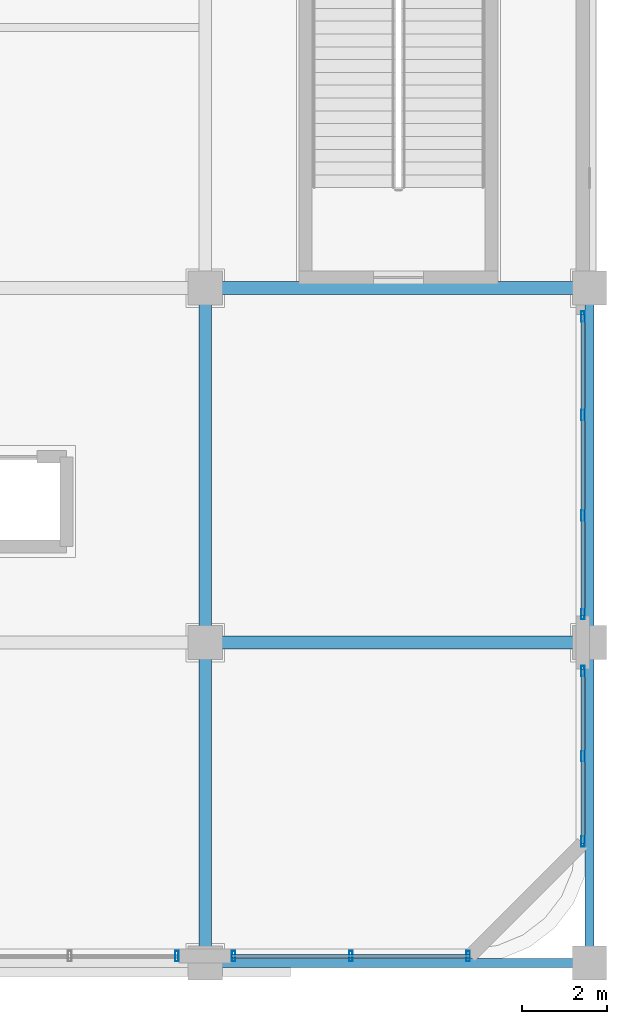
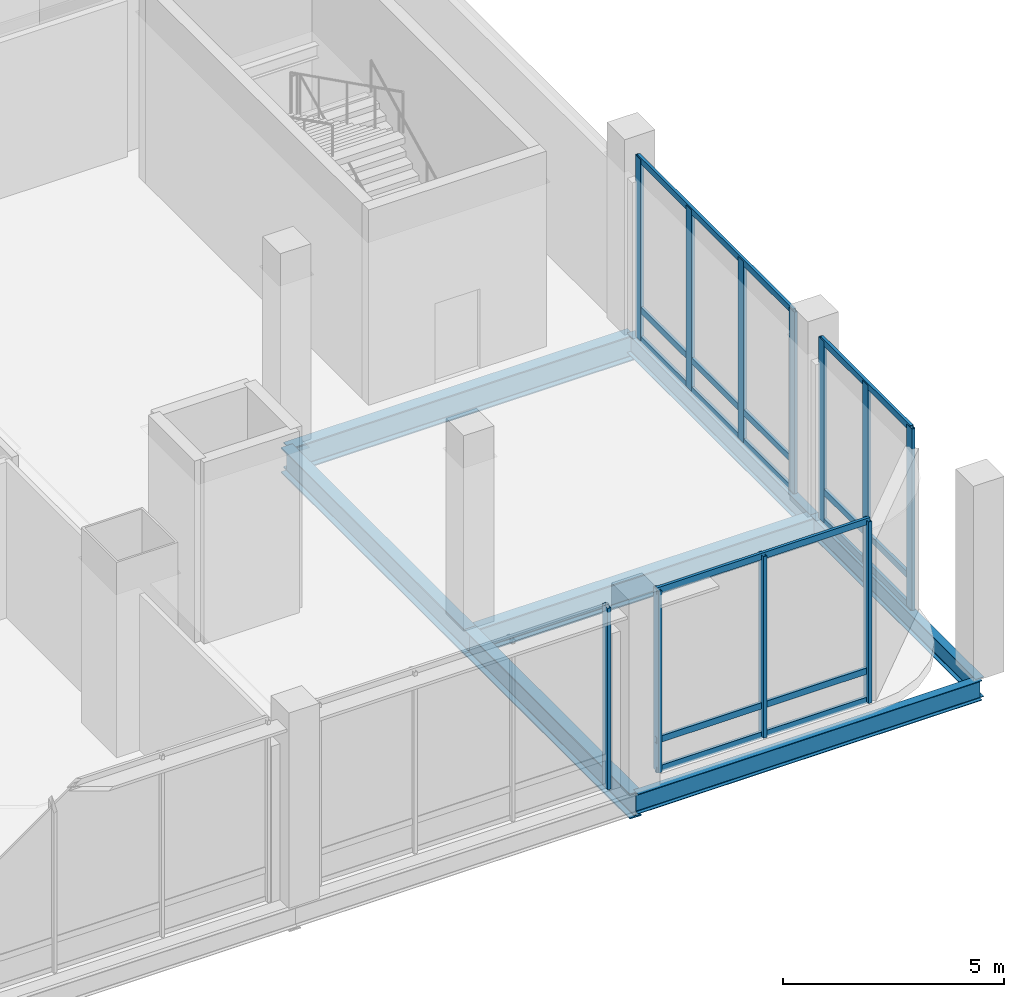
# One storey, part 16 of 35: 20 members, 7 beams, 4 elements without a shape of their own.
"""IFC4 building model written with IfcOpenShell, lengths in metres."""

from ifc_helpers import new_model, si_unit, direction, frame, origin, origin_2d, place, context, subcontext, project, spatial, hollow_rectangle, i_section, extrude, material, material_profile, profile_set, type_object, element, aggregate, save


model = new_model("IFC4")

# Units and contexts
model_context = context("Model", 3, precision=1e-05, world=origin(), true_north=direction((0.0, 1.0)))
body_context = subcontext(model_context, "Body", "Model", "MODEL_VIEW")
ifc_project = project(units=[si_unit("LENGTHUNIT", "METRE"), si_unit("AREAUNIT", "SQUARE_METRE"), si_unit("VOLUMEUNIT", "CUBIC_METRE"), si_unit("PLANEANGLEUNIT", "RADIAN"), si_unit("MASSUNIT", "GRAM", prefix="KILO")], contexts=[model_context])

# Site, building, storey
site_placement = place(None, origin())
site = spatial("IfcSite", under=ifc_project, at=site_placement, CompositionType="ELEMENT")
building_placement = place(site_placement, origin())
building = spatial("IfcBuilding", under=site, at=building_placement, Name="Punatoya Terracotta Tower", CompositionType="ELEMENT")
storey_placement = place(building_placement, frame((0.0, 0.0, 16.800048828125)))
storey = spatial("IfcBuildingStorey", under=building, at=storey_placement, Name="L03", CompositionType="ELEMENT", Elevation=16.800048828125)

# Beams
ifc_material_1 = material(Name="Steel S355", Category="steel")
ifc_material_profile_1 = material_profile(ifc_material_1, i_section(OverallWidth=0.300048828125, OverallDepth=0.699951171875, WebThickness=0.01708984375, FlangeThickness=0.031982421875, FilletRadius=0.01806640625, at=origin_2d()))
ifc_profile_set_1 = profile_set([ifc_material_profile_1], Name="Steel S355")
beam_type_1 = type_object("IfcBeamType", Name="BM-PRI-700", PredefinedType="BEAM", material=ifc_profile_set_1)
for number, where, z_axis, x_axis, name in (
    (1, (28.0, -17.5, -0.630126953125), (1.0, 0.0, 0.0), (0.0, 1.0, 0.0), "BM-L03-BE2"),
    (2, (28.0, -9.199951171875, -0.630126953125), (1.0, 0.0, 0.0), (0.0, 1.0, 0.0), "BM-L03-CE2"),
):
    element("IfcBeam", number, at=place(storey_placement, frame(where, z_axis=z_axis, x_axis=x_axis)), inside=storey, type_object=beam_type_1, Name=name, PredefinedType="BEAM", context=body_context, shape_type="SweptSolid", body=[
        extrude(i_section(OverallWidth=0.300048828125, OverallDepth=0.699951171875, WebThickness=0.01708984375, FlangeThickness=0.031982421875, FilletRadius=0.01806640625, at=origin_2d()), origin(), (0.0, 0.0, 1.0), 9.0),
    ])
beam_1_placement = place(storey_placement, frame((28.0, -25.0, -0.630126953125), z_axis=(0.0, 1.0, 0.0), x_axis=(-1.0, 0.0, 0.0)))
element("IfcBeam", 3, at=beam_1_placement, inside=storey, type_object=beam_type_1, Name="BM-L03-X28E--25", PredefinedType="BEAM", context=body_context, shape_type="SweptSolid", body=[
    extrude(i_section(OverallWidth=0.300048828125, OverallDepth=0.699951171875, WebThickness=0.01708984375, FlangeThickness=0.031982421875, FilletRadius=0.01806640625, at=origin_2d()), origin(), (0.0, 0.0, 1.0), 7.5),
])
beam_2_placement = place(storey_placement, frame((28.0, -17.5, -0.630126953125), z_axis=(0.0, 1.0, 0.0), x_axis=(-1.0, 0.0, 0.0)))
element("IfcBeam", 4, at=beam_2_placement, inside=storey, type_object=beam_type_1, Name="BM-L03-X28E--17", PredefinedType="BEAM", context=body_context, shape_type="SweptSolid", body=[
    extrude(i_section(OverallWidth=0.300048828125, OverallDepth=0.699951171875, WebThickness=0.01708984375, FlangeThickness=0.031982421875, FilletRadius=0.01806640625, at=origin_2d()), origin(), (0.0, 0.0, 1.0), 8.300048828125),
])
ifc_material_profile_2 = material_profile(ifc_material_1, i_section(OverallWidth=0.2099609375, OverallDepth=0.550048828125, WebThickness=0.010986328125, FlangeThickness=0.01708984375, FilletRadius=0.01806640625, at=origin_2d()))
ifc_profile_set_2 = profile_set([ifc_material_profile_2], Name="Steel S355")
beam_type_2 = type_object("IfcBeamType", Name="BM-SPN-550", PredefinedType="SPANDREL", material=ifc_profile_set_2)
beam_3_placement = place(storey_placement, frame((28.0, -25.0, -0.554931640625), z_axis=(1.0, 0.0, 0.0), x_axis=(0.0, 1.0, 0.0)))
element("IfcBeam", 5, at=beam_3_placement, inside=storey, type_object=beam_type_2, Name="BM-L03-AE2", PredefinedType="SPANDREL", context=body_context, shape_type="SweptSolid", body=[
    extrude(i_section(OverallWidth=0.2099609375, OverallDepth=0.550048828125, WebThickness=0.010986328125, FlangeThickness=0.01708984375, FilletRadius=0.01806640625, at=origin_2d()), origin(), (0.0, 0.0, 1.0), 9.0),
])
beam_4_placement = place(storey_placement, frame((37.0, -25.0, -0.554931640625), z_axis=(0.0, 1.0, 0.0), x_axis=(-1.0, 0.0, 0.0)))
element("IfcBeam", 6, at=beam_4_placement, inside=storey, type_object=beam_type_2, Name="BM-L03-X37E--25", PredefinedType="SPANDREL", context=body_context, shape_type="SweptSolid", body=[
    extrude(i_section(OverallWidth=0.2099609375, OverallDepth=0.550048828125, WebThickness=0.010986328125, FlangeThickness=0.01708984375, FilletRadius=0.01806640625, at=origin_2d()), origin(), (0.0, 0.0, 1.0), 7.5),
])
beam_5_placement = place(storey_placement, frame((37.0, -17.5, -0.554931640625), z_axis=(0.0, 1.0, 0.0), x_axis=(-1.0, 0.0, 0.0)))
element("IfcBeam", 7, at=beam_5_placement, inside=storey, type_object=beam_type_2, Name="BM-L03-X37E--17", PredefinedType="SPANDREL", context=body_context, shape_type="SweptSolid", body=[
    extrude(i_section(OverallWidth=0.2099609375, OverallDepth=0.550048828125, WebThickness=0.010986328125, FlangeThickness=0.01708984375, FilletRadius=0.01806640625, at=origin_2d()), origin(), (0.0, 0.0, 1.0), 8.300048828125),
])

# Curtain wall, member
ifc_material_2 = material(Name="Aluminium 6063-T6 + Double Low-E Glass", Category="aluminium")
curtain_wall_type = type_object("IfcCurtainWallType", Name="CW-POD", PredefinedType="NOTDEFINED", material=ifc_material_2)
curtain_wall_1_placement = place(storey_placement, origin())
curtain_wall_1 = element("IfcCurtainWall", 8, at=curtain_wall_1_placement, inside=storey, type_object=curtain_wall_type, Name="L03 Curtain Wall CWP-L03-S6", PredefinedType="NOTDEFINED")
ifc_material_3 = material(Name="Aluminium 6063-T6", Category="aluminium")
ifc_material_profile_3 = material_profile(ifc_material_3, hollow_rectangle(XDim=0.0849609375, YDim=0.239990234375, WallThickness=0.0048828125, at=origin_2d()))
ifc_profile_set_3 = profile_set([ifc_material_profile_3], Name="Aluminium 6063-T6")
member_type_1 = type_object("IfcMemberType", Name="CW-MUL-POD", PredefinedType="MULLION", material=ifc_profile_set_3)
member_1_placement = place(storey_placement, frame((27.3349609375, -24.840087890625, 0.0), z_axis=(0.0, 0.0, 1.0), x_axis=(1.0, 0.0, 0.0)))
member_1 = element("IfcMember", 9, at=member_1_placement, type_object=member_type_1, Name="CWP-L03-S6 Mullion 03", PredefinedType="MULLION", context=body_context, shape_type="SweptSolid", body=[
    extrude(hollow_rectangle(XDim=0.0849609375, YDim=0.239990234375, WallThickness=0.0048828125, at=origin_2d()), origin(), (0.0, 0.0, 1.0), 5.02001953125),
])
aggregate(curtain_wall_1, [member_1])

# Curtain wall, members
curtain_wall_2_placement = place(storey_placement, origin())
curtain_wall_2 = element("IfcCurtainWall", 10, at=curtain_wall_2_placement, inside=storey, type_object=curtain_wall_type, Name="L03 Curtain Wall CWP-L03-S7", PredefinedType="NOTDEFINED")
member_2_placement = place(storey_placement, frame((28.6650390625, -24.840087890625, 0.0), z_axis=(0.0, 0.0, 1.0), x_axis=(1.0, 0.0, 0.0)))
member_2 = element("IfcMember", 11, at=member_2_placement, type_object=member_type_1, Name="CWP-L03-S7 Mullion 00", PredefinedType="MULLION", context=body_context, shape_type="SweptSolid", body=[
    extrude(hollow_rectangle(XDim=0.0849609375, YDim=0.239990234375, WallThickness=0.0048828125, at=origin_2d()), origin(), (0.0, 0.0, 1.0), 5.02001953125),
])
member_3_placement = place(storey_placement, frame((31.409912109375, -24.840087890625, 0.0), z_axis=(0.0, 0.0, 1.0), x_axis=(1.0, 0.0, 0.0)))
member_3 = element("IfcMember", 12, at=member_3_placement, type_object=member_type_1, Name="CWP-L03-S7 Mullion 01", PredefinedType="MULLION", context=body_context, shape_type="SweptSolid", body=[
    extrude(hollow_rectangle(XDim=0.0849609375, YDim=0.239990234375, WallThickness=0.0048828125, at=origin_2d()), origin(), (0.0, 0.0, 1.0), 5.02001953125),
])
member_4_placement = place(storey_placement, frame((34.155029296875, -24.840087890625, 0.0), z_axis=(0.0, 0.0, 1.0), x_axis=(1.0, 0.0, 0.0)))
member_4 = element("IfcMember", 13, at=member_4_placement, type_object=member_type_1, Name="CWP-L03-S7 Mullion 02", PredefinedType="MULLION", context=body_context, shape_type="SweptSolid", body=[
    extrude(hollow_rectangle(XDim=0.0849609375, YDim=0.239990234375, WallThickness=0.0048828125, at=origin_2d()), origin(), (0.0, 0.0, 1.0), 5.02001953125),
])

curtain_wall_3_placement = place(storey_placement, origin())
curtain_wall_3 = element("IfcCurtainWall", 14, at=curtain_wall_3_placement, inside=storey, type_object=curtain_wall_type, Name="L03 Curtain Wall CWP-L03-E1", PredefinedType="NOTDEFINED")
member_5_placement = place(storey_placement, frame((36.840087890625, -18.1650390625, 0.0), z_axis=(0.0, 0.0, 1.0), x_axis=(1.0, 0.0, 0.0)))
member_5 = element("IfcMember", 15, at=member_5_placement, type_object=member_type_1, Name="CWP-L03-E1 Mullion 00", PredefinedType="MULLION", context=body_context, shape_type="SweptSolid", body=[
    extrude(hollow_rectangle(XDim=0.0849609375, YDim=0.239990234375, WallThickness=0.0048828125, at=origin_2d()), origin(), (0.0, 0.0, 1.0), 5.02001953125),
])
member_6_placement = place(storey_placement, frame((36.840087890625, -20.159912109375, 0.0), z_axis=(0.0, 0.0, 1.0), x_axis=(1.0, 0.0, 0.0)))
member_6 = element("IfcMember", 16, at=member_6_placement, type_object=member_type_1, Name="CWP-L03-E1 Mullion 01", PredefinedType="MULLION", context=body_context, shape_type="SweptSolid", body=[
    extrude(hollow_rectangle(XDim=0.0849609375, YDim=0.239990234375, WallThickness=0.0048828125, at=origin_2d()), origin(), (0.0, 0.0, 1.0), 5.02001953125),
])
member_7_placement = place(storey_placement, frame((36.840087890625, -22.155029296875, 0.0), z_axis=(0.0, 0.0, 1.0), x_axis=(1.0, 0.0, 0.0)))
member_7 = element("IfcMember", 17, at=member_7_placement, type_object=member_type_1, Name="CWP-L03-E1 Mullion 02", PredefinedType="MULLION", context=body_context, shape_type="SweptSolid", body=[
    extrude(hollow_rectangle(XDim=0.0849609375, YDim=0.239990234375, WallThickness=0.0048828125, at=origin_2d()), origin(), (0.0, 0.0, 1.0), 5.02001953125),
])

curtain_wall_4_placement = place(storey_placement, origin())
curtain_wall_4 = element("IfcCurtainWall", 18, at=curtain_wall_4_placement, inside=storey, type_object=curtain_wall_type, Name="L03 Curtain Wall CWP-L03-E2", PredefinedType="NOTDEFINED")
member_8_placement = place(storey_placement, frame((36.840087890625, -9.864990234375, 0.0), z_axis=(0.0, 0.0, 1.0), x_axis=(1.0, 0.0, 0.0)))
member_8 = element("IfcMember", 19, at=member_8_placement, type_object=member_type_1, Name="CWP-L03-E2 Mullion 00", PredefinedType="MULLION", context=body_context, shape_type="SweptSolid", body=[
    extrude(hollow_rectangle(XDim=0.0849609375, YDim=0.239990234375, WallThickness=0.0048828125, at=origin_2d()), origin(), (0.0, 0.0, 1.0), 5.02001953125),
])
member_9_placement = place(storey_placement, frame((36.840087890625, -12.17333984375, 0.0), z_axis=(0.0, 0.0, 1.0), x_axis=(1.0, 0.0, 0.0)))
member_9 = element("IfcMember", 20, at=member_9_placement, type_object=member_type_1, Name="CWP-L03-E2 Mullion 01", PredefinedType="MULLION", context=body_context, shape_type="SweptSolid", body=[
    extrude(hollow_rectangle(XDim=0.0849609375, YDim=0.239990234375, WallThickness=0.0048828125, at=origin_2d()), origin(), (0.0, 0.0, 1.0), 5.02001953125),
])
member_10_placement = place(storey_placement, frame((36.840087890625, -14.526611328125, 0.0), z_axis=(0.0, 0.0, 1.0), x_axis=(1.0, 0.0, 0.0)))
member_10 = element("IfcMember", 21, at=member_10_placement, type_object=member_type_1, Name="CWP-L03-E2 Mullion 02", PredefinedType="MULLION", context=body_context, shape_type="SweptSolid", body=[
    extrude(hollow_rectangle(XDim=0.0849609375, YDim=0.239990234375, WallThickness=0.0048828125, at=origin_2d()), origin(), (0.0, 0.0, 1.0), 5.02001953125),
])
member_11_placement = place(storey_placement, frame((36.840087890625, -16.8349609375, 0.0), z_axis=(0.0, 0.0, 1.0), x_axis=(1.0, 0.0, 0.0)))
member_11 = element("IfcMember", 22, at=member_11_placement, type_object=member_type_1, Name="CWP-L03-E2 Mullion 03", PredefinedType="MULLION", context=body_context, shape_type="SweptSolid", body=[
    extrude(hollow_rectangle(XDim=0.0849609375, YDim=0.239990234375, WallThickness=0.0048828125, at=origin_2d()), origin(), (0.0, 0.0, 1.0), 5.02001953125),
])

# Member
ifc_material_profile_4 = material_profile(ifc_material_3, hollow_rectangle(XDim=0.074951171875, YDim=0.175048828125, WallThickness=0.00439453125, at=origin_2d()))
ifc_profile_set_4 = profile_set([ifc_material_profile_4], Name="Aluminium 6063-T6")
member_type_2 = type_object("IfcMemberType", Name="CW-TRN-POD", PredefinedType="USERDEFINED", material=ifc_profile_set_4)
member_12_placement = place(storey_placement, frame((28.6201171875, -24.840087890625, 0.0400390625), z_axis=(1.0, 0.0, 0.0), x_axis=(0.0, 1.0, 0.0)))
member_12 = element("IfcMember", 23, at=member_12_placement, type_object=member_type_2, Name="CWP-L03-S7 Transom 1", ObjectType="TRANSOM", PredefinedType="USERDEFINED", context=body_context, shape_type="SweptSolid", body=[
    extrude(hollow_rectangle(XDim=0.074951171875, YDim=0.175048828125, WallThickness=0.00439453125, at=origin_2d()), origin(), (0.0, 0.0, 1.0), 5.579833984375),
])

member_13_placement = place(storey_placement, frame((28.6201171875, -24.840087890625, 0.849853515625), z_axis=(1.0, 0.0, 0.0), x_axis=(0.0, 1.0, 0.0)))
member_13 = element("IfcMember", 24, at=member_13_placement, type_object=member_type_2, Name="CWP-L03-S7 Transom 2", ObjectType="TRANSOM", PredefinedType="USERDEFINED", context=body_context, shape_type="SweptSolid", body=[
    extrude(hollow_rectangle(XDim=0.074951171875, YDim=0.175048828125, WallThickness=0.00439453125, at=origin_2d()), origin(), (0.0, 0.0, 1.0), 5.579833984375),
])

member_14_placement = place(storey_placement, frame((28.6201171875, -24.840087890625, 4.97998046875), z_axis=(1.0, 0.0, 0.0), x_axis=(0.0, 1.0, 0.0)))
member_14 = element("IfcMember", 25, at=member_14_placement, type_object=member_type_2, Name="CWP-L03-S7 Transom 3", ObjectType="TRANSOM", PredefinedType="USERDEFINED", context=body_context, shape_type="SweptSolid", body=[
    extrude(hollow_rectangle(XDim=0.074951171875, YDim=0.175048828125, WallThickness=0.00439453125, at=origin_2d()), origin(), (0.0, 0.0, 1.0), 5.579833984375),
])

aggregate(curtain_wall_2, [member_2, member_3, member_4, member_12, member_13, member_14])

member_15_placement = place(storey_placement, frame((36.840087890625, -18.1201171875, 0.0400390625), z_axis=(0.0, -1.0, 0.0), x_axis=(1.0, 0.0, 0.0)))
member_15 = element("IfcMember", 26, at=member_15_placement, type_object=member_type_2, Name="CWP-L03-E1 Transom 1", ObjectType="TRANSOM", PredefinedType="USERDEFINED", context=body_context, shape_type="SweptSolid", body=[
    extrude(hollow_rectangle(XDim=0.074951171875, YDim=0.175048828125, WallThickness=0.00439453125, at=origin_2d()), origin(), (0.0, 0.0, 1.0), 4.079833984375),
])

member_16_placement = place(storey_placement, frame((36.840087890625, -18.1201171875, 0.849853515625), z_axis=(0.0, -1.0, 0.0), x_axis=(1.0, 0.0, 0.0)))
member_16 = element("IfcMember", 27, at=member_16_placement, type_object=member_type_2, Name="CWP-L03-E1 Transom 2", ObjectType="TRANSOM", PredefinedType="USERDEFINED", context=body_context, shape_type="SweptSolid", body=[
    extrude(hollow_rectangle(XDim=0.074951171875, YDim=0.175048828125, WallThickness=0.00439453125, at=origin_2d()), origin(), (0.0, 0.0, 1.0), 4.079833984375),
])

member_17_placement = place(storey_placement, frame((36.840087890625, -18.1201171875, 4.97998046875), z_axis=(0.0, -1.0, 0.0), x_axis=(1.0, 0.0, 0.0)))
member_17 = element("IfcMember", 28, at=member_17_placement, type_object=member_type_2, Name="CWP-L03-E1 Transom 3", ObjectType="TRANSOM", PredefinedType="USERDEFINED", context=body_context, shape_type="SweptSolid", body=[
    extrude(hollow_rectangle(XDim=0.074951171875, YDim=0.175048828125, WallThickness=0.00439453125, at=origin_2d()), origin(), (0.0, 0.0, 1.0), 4.079833984375),
])

aggregate(curtain_wall_3, [member_5, member_6, member_7, member_15, member_16, member_17])

member_18_placement = place(storey_placement, frame((36.840087890625, -9.820068359375, 0.0400390625), z_axis=(0.0, -1.0, 0.0), x_axis=(1.0, 0.0, 0.0)))
member_18 = element("IfcMember", 29, at=member_18_placement, type_object=member_type_2, Name="CWP-L03-E2 Transom 1", ObjectType="TRANSOM", PredefinedType="USERDEFINED", context=body_context, shape_type="SweptSolid", body=[
    extrude(hollow_rectangle(XDim=0.074951171875, YDim=0.175048828125, WallThickness=0.00439453125, at=origin_2d()), origin(), (0.0, 0.0, 1.0), 7.059814453125),
])

member_19_placement = place(storey_placement, frame((36.840087890625, -9.820068359375, 0.849853515625), z_axis=(0.0, -1.0, 0.0), x_axis=(1.0, 0.0, 0.0)))
member_19 = element("IfcMember", 30, at=member_19_placement, type_object=member_type_2, Name="CWP-L03-E2 Transom 2", ObjectType="TRANSOM", PredefinedType="USERDEFINED", context=body_context, shape_type="SweptSolid", body=[
    extrude(hollow_rectangle(XDim=0.074951171875, YDim=0.175048828125, WallThickness=0.00439453125, at=origin_2d()), origin(), (0.0, 0.0, 1.0), 7.059814453125),
])

member_20_placement = place(storey_placement, frame((36.840087890625, -9.820068359375, 4.97998046875), z_axis=(0.0, -1.0, 0.0), x_axis=(1.0, 0.0, 0.0)))
member_20 = element("IfcMember", 31, at=member_20_placement, type_object=member_type_2, Name="CWP-L03-E2 Transom 3", ObjectType="TRANSOM", PredefinedType="USERDEFINED", context=body_context, shape_type="SweptSolid", body=[
    extrude(hollow_rectangle(XDim=0.074951171875, YDim=0.175048828125, WallThickness=0.00439453125, at=origin_2d()), origin(), (0.0, 0.0, 1.0), 7.059814453125),
])

aggregate(curtain_wall_4, [member_8, member_9, member_10, member_11, member_18, member_19, member_20])

save(model, "model.ifc")
